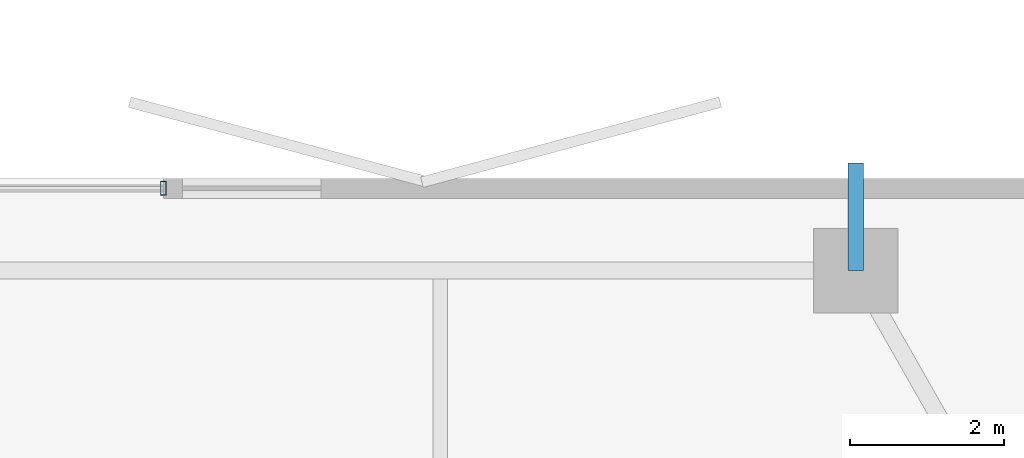
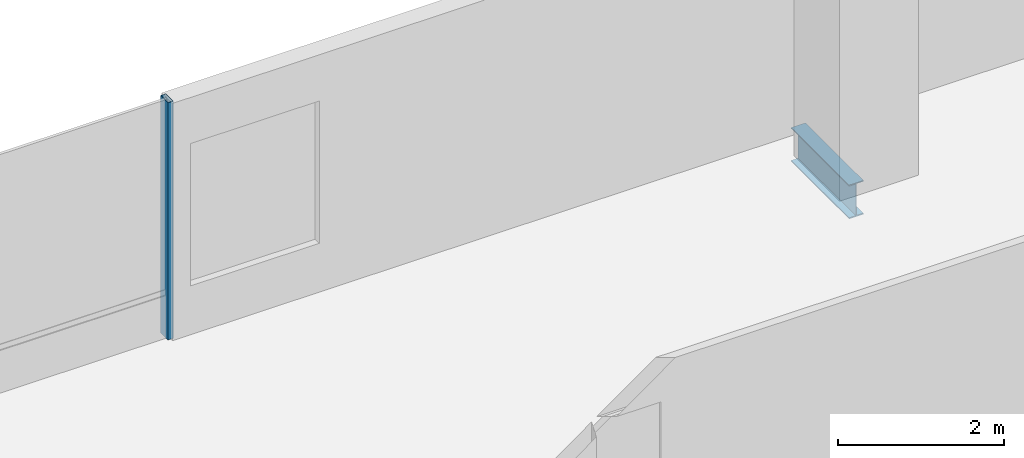
# One storey, part 15 of 24: 1 beam, 1 member, 1 element without a shape of its own.
"""IFC4 building model written with IfcOpenShell, lengths in metres."""

from ifc_helpers import new_model, si_unit, direction, frame, origin, origin_2d, place, context, subcontext, project, spatial, hollow_rectangle, i_section, extrude, material, layer, layer_set, material_profile, profile_set, type_object, element, aggregate, save


model = new_model("IFC4")

# Units and contexts
model_context = context("Model", 3, precision=1e-05, world=origin(), true_north=direction((0.0, 1.0)))
body_context = subcontext(model_context, "Body", "Model", "MODEL_VIEW")
ifc_project = project(units=[si_unit("LENGTHUNIT", "METRE"), si_unit("AREAUNIT", "SQUARE_METRE"), si_unit("VOLUMEUNIT", "CUBIC_METRE"), si_unit("PLANEANGLEUNIT", "RADIAN"), si_unit("MASSUNIT", "GRAM", prefix="KILO")], contexts=[model_context])

# Site, building, storey
site_placement = place(None, origin())
site = spatial("IfcSite", under=ifc_project, at=site_placement, CompositionType="ELEMENT")
building_placement = place(site_placement, origin())
building = spatial("IfcBuilding", under=site, at=building_placement, Name="Belovzor Exchange Tower", CompositionType="ELEMENT")
storey_placement = place(building_placement, frame((0.0, 0.0, 237.449951171875)))
storey = spatial("IfcBuildingStorey", under=building, at=storey_placement, Name="L59", CompositionType="ELEMENT", Elevation=237.449951171875)

# Beam
ifc_material_1 = material(Name="Steel S355", Category="steel")
ifc_material_profile_1 = material_profile(ifc_material_1, i_section(OverallWidth=0.199951171875, OverallDepth=0.5, WebThickness=0.01025390625, FlangeThickness=0.01611328125, at=origin_2d()))
ifc_profile_set_1 = profile_set([ifc_material_profile_1], Name="Steel S355")
beam_type = type_object("IfcBeamType", Name="Planted Balcony Cantilever Beam IPE 500", PredefinedType="BEAM", material=ifc_profile_set_1)
beam_placement = place(storey_placement, frame((42.60009765625, 54.60009765625, -0.5), z_axis=(0.0, 1.0, 0.0), x_axis=(-1.0, 0.0, 0.0)))
element("IfcBeam", 1, at=beam_placement, inside=storey, type_object=beam_type, Name="BC-500 Planted Balcony Cantilever Beam IPE 500", PredefinedType="BEAM", context=body_context, shape_type="SweptSolid", body=[
    extrude(i_section(OverallWidth=0.199951171875, OverallDepth=0.5, WebThickness=0.01025390625, FlangeThickness=0.01611328125, at=origin_2d()), origin(), (0.0, 0.0, 1.0), 1.39990234375),
])

# Curtain wall, member
ifc_material_2 = material(Name="Anodised Aluminium Framing", Category="aluminium")
ifc_layer = layer(ifc_material_2, 0.179931640625)
ifc_layer_set = layer_set([ifc_layer], Name="Anodised Aluminium Framing")
curtain_wall_type = type_object("IfcCurtainWallType", Name="Recessed Loggia Low-Iron Triple-Glazed Curtain Wall", PredefinedType="NOTDEFINED", material=ifc_layer_set)
curtain_wall_placement = place(storey_placement, origin())
curtain_wall = element("IfcCurtainWall", 2, at=curtain_wall_placement, inside=storey, type_object=curtain_wall_type, Name="CW3 Recessed Loggia Low-Iron Triple-Glazed Curtain Wall L59", PredefinedType="NOTDEFINED")
ifc_material_3 = material(Name="Steel S355", Category="steel")
ifc_material_profile_2 = material_profile(ifc_material_3, hollow_rectangle(XDim=0.074951171875, YDim=0.179931640625, WallThickness=0.0048828125, at=origin_2d()))
ifc_profile_set_2 = profile_set([ifc_material_profile_2], Name="Steel S355")
member_type = type_object("IfcMemberType", Name="Thermally Broken Curtain Wall Mullion 180x75", PredefinedType="MULLION", material=ifc_profile_set_2)
member_placement = place(storey_placement, frame((33.60009765625, 55.669921875, 0.0), z_axis=(0.0, 0.0, 1.0), x_axis=(1.0, 0.0, 0.0)))
member = element("IfcMember", 3, at=member_placement, type_object=member_type, Name="CW-M180 Curtain Wall Mullion 4", PredefinedType="MULLION", context=body_context, shape_type="SweptSolid", body=[
    extrude(hollow_rectangle(XDim=0.074951171875, YDim=0.179931640625, WallThickness=0.0048828125, at=origin_2d()), origin(), (0.0, 0.0, 1.0), 3.5),
])
aggregate(curtain_wall, [member])

save(model, "model.ifc")
